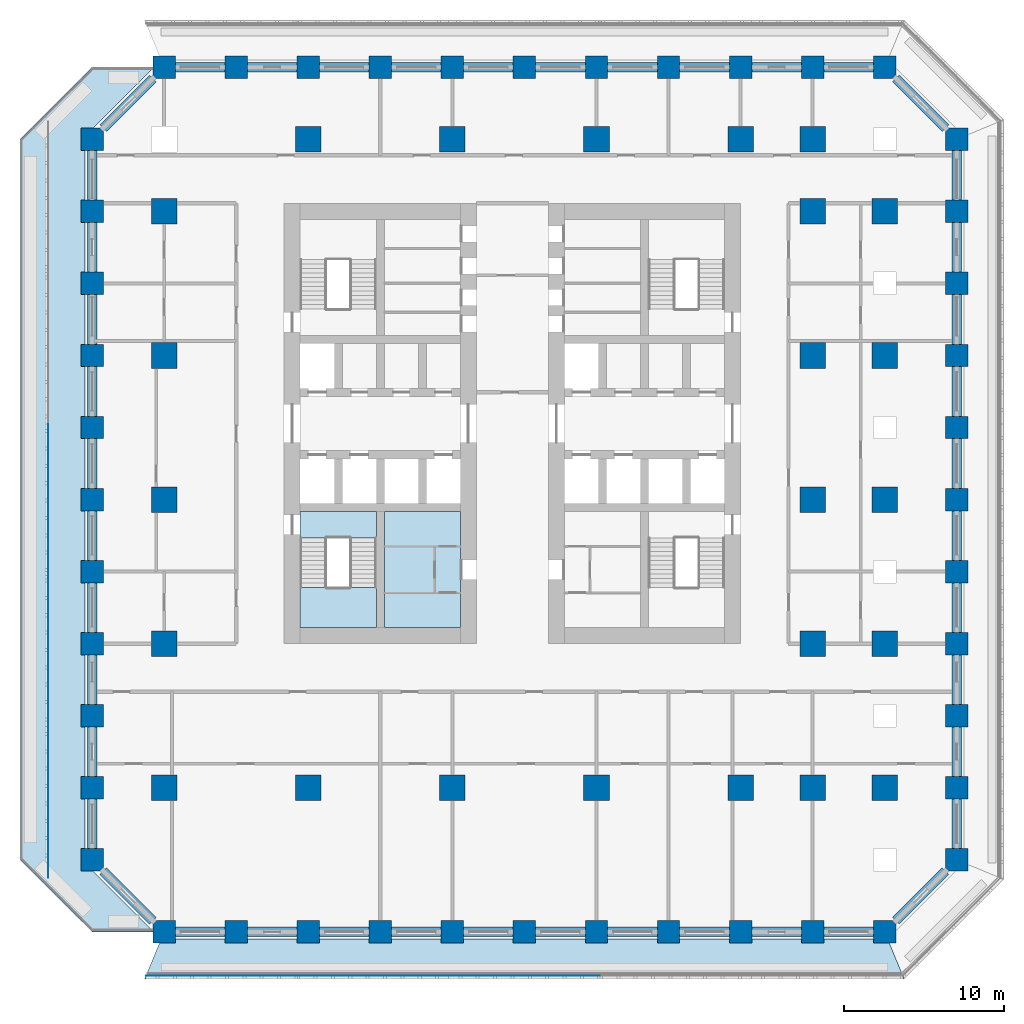
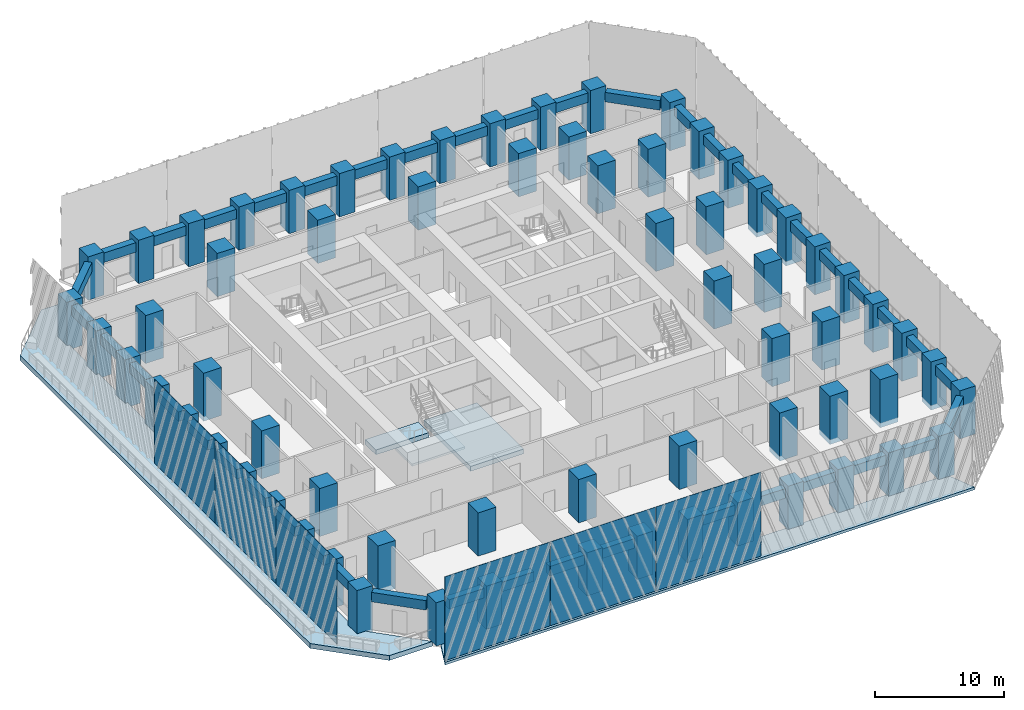
# One storey, part 1 of 15: 68 columns, 44 beams, 6 plates, 5 slabs, 1 element without a shape of its own.
"""IFC4 building model written with IfcOpenShell, lengths in metres."""

from ifc_helpers import new_model, si_unit, direction, frame, origin, origin_2d, place, context, subcontext, project, spatial, polyline, rectangle, outline, extrude, material, layer, layer_set, material_profile, profile_set, type_object, element, aggregate, save


model = new_model("IFC4")

# Units and contexts
model_context = context("Model", 3, precision=1e-05, world=origin(), true_north=direction((0.0, 1.0)))
body_context = subcontext(model_context, "Body", "Model", "MODEL_VIEW")
ifc_project = project(units=[si_unit("LENGTHUNIT", "METRE"), si_unit("AREAUNIT", "SQUARE_METRE"), si_unit("VOLUMEUNIT", "CUBIC_METRE"), si_unit("PLANEANGLEUNIT", "RADIAN"), si_unit("MASSUNIT", "GRAM", prefix="KILO")], contexts=[model_context])

# Site, building, storey
site_placement = place(None, origin())
site = spatial("IfcSite", under=ifc_project, at=site_placement, CompositionType="ELEMENT")
building_placement = place(site_placement, origin())
building = spatial("IfcBuilding", under=site, at=building_placement, Name="Corbel Stack Research Tower", CompositionType="ELEMENT")
storey_placement = place(building_placement, frame((0.0, 0.0, 41.89990234375)))
storey = spatial("IfcBuildingStorey", under=building, at=storey_placement, Name="L09", CompositionType="ELEMENT", Elevation=41.89990234375)

# Columns
ifc_material_1 = material(Name="Concrete C70/85", Category="concrete")
ifc_material_profile_1 = material_profile(ifc_material_1, rectangle(XDim=1.39990234375, YDim=1.39990234375, at=origin_2d()), Name="RC 1400 x 1400")
ifc_profile_set_1 = profile_set([ifc_material_profile_1], Name="Concrete C70/85")
column_type_1 = type_object("IfcColumnType", Name="C-1400-70", PredefinedType="COLUMN", material=ifc_profile_set_1)
for number, where, z_axis, x_axis, name in (
    (1, (-22.5, -22.5, -0.449951171875), (0.0, 0.0, 1.0), (1.0, 0.0, 0.0), "Column 3/C L09"),
    (2, (-22.5, -18.0, -0.449951171875), (0.0, 0.0, 1.0), (1.0, 0.0, 0.0), "Column 3/D L09"),
    (3, (-22.5, -13.5, -0.449951171875), (0.0, 0.0, 1.0), (1.0, 0.0, 0.0), "Column 3/E L09"),
    (4, (-22.5, -9.0, -0.449951171875), (0.0, 0.0, 1.0), (1.0, 0.0, 0.0), "Column 3/F L09"),
    (5, (-22.5, -4.5, -0.449951171875), (0.0, 0.0, 1.0), (1.0, 0.0, 0.0), "Column 3/G L09"),
    (6, (-22.5, 0.0, -0.449951171875), (0.0, 0.0, 1.0), (1.0, 0.0, 0.0), "Column 3/H L09"),
    (7, (-22.5, 4.5, -0.449951171875), (0.0, 0.0, 1.0), (1.0, 0.0, 0.0), "Column 3/J L09"),
    (8, (-22.5, 9.0, -0.449951171875), (0.0, 0.0, 1.0), (1.0, 0.0, 0.0), "Column 3/K L09"),
    (9, (-22.5, 13.5, -0.449951171875), (0.0, 0.0, 1.0), (1.0, 0.0, 0.0), "Column 3/L L09"),
    (10, (-22.5, 18.0, -0.449951171875), (0.0, 0.0, 1.0), (1.0, 0.0, 0.0), "Column 3/M L09"),
    (11, (-22.5, 22.5, -0.449951171875), (0.0, 0.0, 1.0), (1.0, 0.0, 0.0), "Column 3/N L09"),
):
    element("IfcColumn", number, at=place(storey_placement, frame(where, z_axis=z_axis, x_axis=x_axis)), inside=storey, type_object=column_type_1, Name=name, PredefinedType="COLUMN", context=body_context, shape_type="SweptSolid", body=[
        extrude(rectangle(XDim=1.39990234375, YDim=1.39990234375, at=origin_2d()), origin(), (0.0, 0.0, 1.0), 4.550048828125),
    ])
for number, where, z_axis, x_axis, name in (
    (12, (-18.0, -27.0, 0.0), (0.0, 0.0, 1.0), (1.0, 0.0, 0.0), "Column 4/B L09"),
    (13, (-18.0, 27.0, 0.0), (0.0, 0.0, 1.0), (1.0, 0.0, 0.0), "Column 4/P L09"),
    (14, (-13.5, -27.0, 0.0), (0.0, 0.0, 1.0), (1.0, 0.0, 0.0), "Column 5/B L09"),
    (15, (-13.5, 27.0, 0.0), (0.0, 0.0, 1.0), (1.0, 0.0, 0.0), "Column 5/P L09"),
    (16, (-9.0, -27.0, 0.0), (0.0, 0.0, 1.0), (1.0, 0.0, 0.0), "Column 6/B L09"),
    (17, (-9.0, 27.0, 0.0), (0.0, 0.0, 1.0), (1.0, 0.0, 0.0), "Column 6/P L09"),
    (18, (-4.5, -27.0, 0.0), (0.0, 0.0, 1.0), (1.0, 0.0, 0.0), "Column 7/B L09"),
    (19, (-4.5, 27.0, 0.0), (0.0, 0.0, 1.0), (1.0, 0.0, 0.0), "Column 7/P L09"),
    (20, (0.0, -27.0, 0.0), (0.0, 0.0, 1.0), (1.0, 0.0, 0.0), "Column 8/B L09"),
    (21, (0.0, 27.0, 0.0), (0.0, 0.0, 1.0), (1.0, 0.0, 0.0), "Column 8/P L09"),
    (22, (4.5, -27.0, 0.0), (0.0, 0.0, 1.0), (1.0, 0.0, 0.0), "Column 9/B L09"),
    (23, (4.5, 27.0, 0.0), (0.0, 0.0, 1.0), (1.0, 0.0, 0.0), "Column 9/P L09"),
    (24, (9.0, -27.0, 0.0), (0.0, 0.0, 1.0), (1.0, 0.0, 0.0), "Column 10/B L09"),
    (25, (9.0, 27.0, 0.0), (0.0, 0.0, 1.0), (1.0, 0.0, 0.0), "Column 10/P L09"),
    (26, (13.5, -27.0, 0.0), (0.0, 0.0, 1.0), (1.0, 0.0, 0.0), "Column 11/B L09"),
    (27, (13.5, 27.0, 0.0), (0.0, 0.0, 1.0), (1.0, 0.0, 0.0), "Column 11/P L09"),
    (28, (18.0, -27.0, 0.0), (0.0, 0.0, 1.0), (1.0, 0.0, 0.0), "Column 12/B L09"),
    (29, (18.0, 27.0, 0.0), (0.0, 0.0, 1.0), (1.0, 0.0, 0.0), "Column 12/P L09"),
    (30, (22.5, -27.0, 0.0), (0.0, 0.0, 1.0), (1.0, 0.0, 0.0), "Column 13/B L09"),
    (31, (22.5, 27.0, 0.0), (0.0, 0.0, 1.0), (1.0, 0.0, 0.0), "Column 13/P L09"),
    (32, (27.0, -27.0, 0.0), (0.0, 0.0, 1.0), (1.0, 0.0, 0.0), "Column 14/B L09"),
    (33, (27.0, 27.0, 0.0), (0.0, 0.0, 1.0), (1.0, 0.0, 0.0), "Column 14/P L09"),
):
    element("IfcColumn", number, at=place(storey_placement, frame(where, z_axis=z_axis, x_axis=x_axis)), inside=storey, type_object=column_type_1, Name=name, PredefinedType="COLUMN", context=body_context, shape_type="SweptSolid", body=[
        extrude(rectangle(XDim=1.39990234375, YDim=1.39990234375, at=origin_2d()), origin(), (0.0, 0.0, 1.0), 4.10009765625),
    ])
for number, where, z_axis, x_axis, name in (
    (34, (31.5, -22.5, -0.449951171875), (0.0, 0.0, 1.0), (1.0, 0.0, 0.0), "Column 15/C L09"),
    (35, (31.5, -18.0, -0.449951171875), (0.0, 0.0, 1.0), (1.0, 0.0, 0.0), "Column 15/D L09"),
    (36, (31.5, -13.5, -0.449951171875), (0.0, 0.0, 1.0), (1.0, 0.0, 0.0), "Column 15/E L09"),
    (37, (31.5, -9.0, -0.449951171875), (0.0, 0.0, 1.0), (1.0, 0.0, 0.0), "Column 15/F L09"),
    (38, (31.5, -4.5, -0.449951171875), (0.0, 0.0, 1.0), (1.0, 0.0, 0.0), "Column 15/G L09"),
    (39, (31.5, 0.0, -0.449951171875), (0.0, 0.0, 1.0), (1.0, 0.0, 0.0), "Column 15/H L09"),
    (40, (31.5, 4.5, -0.449951171875), (0.0, 0.0, 1.0), (1.0, 0.0, 0.0), "Column 15/J L09"),
    (41, (31.5, 9.0, -0.449951171875), (0.0, 0.0, 1.0), (1.0, 0.0, 0.0), "Column 15/K L09"),
    (42, (31.5, 13.5, -0.449951171875), (0.0, 0.0, 1.0), (1.0, 0.0, 0.0), "Column 15/L L09"),
    (43, (31.5, 18.0, -0.449951171875), (0.0, 0.0, 1.0), (1.0, 0.0, 0.0), "Column 15/M L09"),
    (44, (31.5, 22.5, -0.449951171875), (0.0, 0.0, 1.0), (1.0, 0.0, 0.0), "Column 15/N L09"),
):
    element("IfcColumn", number, at=place(storey_placement, frame(where, z_axis=z_axis, x_axis=x_axis)), inside=storey, type_object=column_type_1, Name=name, PredefinedType="COLUMN", context=body_context, shape_type="SweptSolid", body=[
        extrude(rectangle(XDim=1.39990234375, YDim=1.39990234375, at=origin_2d()), origin(), (0.0, 0.0, 1.0), 4.550048828125),
    ])
ifc_material_2 = material(Name="Concrete C70/85", Category="concrete")
ifc_material_profile_2 = material_profile(ifc_material_2, rectangle(XDim=1.60009765625, YDim=1.60009765625, at=origin_2d()), Name="RC 1600 x 1600")
ifc_profile_set_2 = profile_set([ifc_material_profile_2], Name="Concrete C70/85")
column_type_2 = type_object("IfcColumnType", Name="C-1600-70", PredefinedType="COLUMN", material=ifc_profile_set_2)
for number, where, z_axis, x_axis, name in (
    (45, (-18.0, -18.0, -0.449951171875), (0.0, 0.0, 1.0), (1.0, 0.0, 0.0), "Column 4/D L09"),
    (46, (-18.0, -9.0, -0.449951171875), (0.0, 0.0, 1.0), (1.0, 0.0, 0.0), "Column 4/F L09"),
    (47, (-18.0, 0.0, -0.449951171875), (0.0, 0.0, 1.0), (1.0, 0.0, 0.0), "Column 4/H L09"),
    (48, (-18.0, 9.0, -0.449951171875), (0.0, 0.0, 1.0), (1.0, 0.0, 0.0), "Column 4/K L09"),
    (49, (-18.0, 18.0, -0.449951171875), (0.0, 0.0, 1.0), (1.0, 0.0, 0.0), "Column 4/M L09"),
):
    element("IfcColumn", number, at=place(storey_placement, frame(where, z_axis=z_axis, x_axis=x_axis)), inside=storey, type_object=column_type_2, Name=name, PredefinedType="COLUMN", context=body_context, shape_type="SweptSolid", body=[
        extrude(rectangle(XDim=1.60009765625, YDim=1.60009765625, at=origin_2d()), origin(), (0.0, 0.0, 1.0), 4.550048828125),
    ])
for number, where, z_axis, x_axis, name in (
    (50, (-9.0, -18.0, 0.0), (0.0, 0.0, 1.0), (1.0, 0.0, 0.0), "Column 6/D L09"),
    (51, (-9.0, 22.5, 0.0), (0.0, 0.0, 1.0), (1.0, 0.0, 0.0), "Column 6/N L09"),
    (52, (0.0, -18.0, 0.0), (0.0, 0.0, 1.0), (1.0, 0.0, 0.0), "Column 8/D L09"),
    (53, (0.0, 22.5, 0.0), (0.0, 0.0, 1.0), (1.0, 0.0, 0.0), "Column 8/N L09"),
    (54, (9.0, -18.0, 0.0), (0.0, 0.0, 1.0), (1.0, 0.0, 0.0), "Column 10/D L09"),
    (55, (9.0, 22.5, 0.0), (0.0, 0.0, 1.0), (1.0, 0.0, 0.0), "Column 10/N L09"),
):
    element("IfcColumn", number, at=place(storey_placement, frame(where, z_axis=z_axis, x_axis=x_axis)), inside=storey, type_object=column_type_2, Name=name, PredefinedType="COLUMN", context=body_context, shape_type="SweptSolid", body=[
        extrude(rectangle(XDim=1.60009765625, YDim=1.60009765625, at=origin_2d()), origin(), (0.0, 0.0, 1.0), 4.10009765625),
    ])
column_1_placement = place(storey_placement, frame((18.0, -18.0, -0.449951171875), z_axis=(0.0, 0.0, 1.0), x_axis=(1.0, 0.0, 0.0)))
element("IfcColumn", 56, at=column_1_placement, inside=storey, type_object=column_type_2, Name="Column 12/D L09", PredefinedType="COLUMN", context=body_context, shape_type="SweptSolid", body=[
    extrude(rectangle(XDim=1.60009765625, YDim=1.60009765625, at=origin_2d()), origin(), (0.0, 0.0, 1.0), 4.550048828125),
])
column_2_placement = place(storey_placement, frame((18.0, 22.5, 0.0), z_axis=(0.0, 0.0, 1.0), x_axis=(1.0, 0.0, 0.0)))
element("IfcColumn", 57, at=column_2_placement, inside=storey, type_object=column_type_2, Name="Column 12/N L09", PredefinedType="COLUMN", context=body_context, shape_type="SweptSolid", body=[
    extrude(rectangle(XDim=1.60009765625, YDim=1.60009765625, at=origin_2d()), origin(), (0.0, 0.0, 1.0), 4.10009765625),
])
for number, where, z_axis, x_axis, name in (
    (58, (22.5, -18.0, -0.449951171875), (0.0, 0.0, 1.0), (1.0, 0.0, 0.0), "Column 13/D L09"),
    (59, (22.5, -9.0, -0.449951171875), (0.0, 0.0, 1.0), (1.0, 0.0, 0.0), "Column 13/F L09"),
    (60, (22.5, 0.0, -0.449951171875), (0.0, 0.0, 1.0), (1.0, 0.0, 0.0), "Column 13/H L09"),
    (61, (22.5, 9.0, -0.449951171875), (0.0, 0.0, 1.0), (1.0, 0.0, 0.0), "Column 13/K L09"),
    (62, (22.5, 18.0, -0.449951171875), (0.0, 0.0, 1.0), (1.0, 0.0, 0.0), "Column 13/M L09"),
):
    element("IfcColumn", number, at=place(storey_placement, frame(where, z_axis=z_axis, x_axis=x_axis)), inside=storey, type_object=column_type_2, Name=name, PredefinedType="COLUMN", context=body_context, shape_type="SweptSolid", body=[
        extrude(rectangle(XDim=1.60009765625, YDim=1.60009765625, at=origin_2d()), origin(), (0.0, 0.0, 1.0), 4.550048828125),
    ])
column_3_placement = place(storey_placement, frame((22.5, 22.5, 0.0), z_axis=(0.0, 0.0, 1.0), x_axis=(1.0, 0.0, 0.0)))
element("IfcColumn", 63, at=column_3_placement, inside=storey, type_object=column_type_2, Name="Column 13/N L09", PredefinedType="COLUMN", context=body_context, shape_type="SweptSolid", body=[
    extrude(rectangle(XDim=1.60009765625, YDim=1.60009765625, at=origin_2d()), origin(), (0.0, 0.0, 1.0), 4.10009765625),
])
for number, where, z_axis, x_axis, name in (
    (64, (27.0, -18.0, -0.449951171875), (0.0, 0.0, 1.0), (1.0, 0.0, 0.0), "Column 14/D L09"),
    (65, (27.0, -9.0, -0.449951171875), (0.0, 0.0, 1.0), (1.0, 0.0, 0.0), "Column 14/F L09"),
    (66, (27.0, 0.0, -0.449951171875), (0.0, 0.0, 1.0), (1.0, 0.0, 0.0), "Column 14/H L09"),
    (67, (27.0, 9.0, -0.449951171875), (0.0, 0.0, 1.0), (1.0, 0.0, 0.0), "Column 14/K L09"),
    (68, (27.0, 18.0, -0.449951171875), (0.0, 0.0, 1.0), (1.0, 0.0, 0.0), "Column 14/M L09"),
):
    element("IfcColumn", number, at=place(storey_placement, frame(where, z_axis=z_axis, x_axis=x_axis)), inside=storey, type_object=column_type_2, Name=name, PredefinedType="COLUMN", context=body_context, shape_type="SweptSolid", body=[
        extrude(rectangle(XDim=1.60009765625, YDim=1.60009765625, at=origin_2d()), origin(), (0.0, 0.0, 1.0), 4.550048828125),
    ])

# Beams
ifc_material_3 = material(Name="Concrete C60/75", Category="concrete")
ifc_material_profile_3 = material_profile(ifc_material_3, rectangle(XDim=0.60009765625, YDim=0.89990234375, at=origin_2d()), Name="RC 600 x 900")
ifc_profile_set_3 = profile_set([ifc_material_profile_3], Name="Concrete C60/75")
beam_type = type_object("IfcBeamType", Name="SB-600-900-450", PredefinedType="SPANDREL", material=ifc_profile_set_3)
for number, where, z_axis, x_axis, name in (
    (69, (-17.300048828125, -27.0, 3.2001953125), (1.0, 0.0, 0.0), (0.0, 1.0, 0.0), "Spandrel beam L09-01"),
    (70, (-12.800048828125, -27.0, 3.2001953125), (1.0, 0.0, 0.0), (0.0, 1.0, 0.0), "Spandrel beam L09-02"),
    (71, (-8.300048828125, -27.0, 3.2001953125), (1.0, 0.0, 0.0), (0.0, 1.0, 0.0), "Spandrel beam L09-03"),
    (72, (-3.800048828125, -27.0, 3.2001953125), (1.0, 0.0, 0.0), (0.0, 1.0, 0.0), "Spandrel beam L09-04"),
    (73, (0.699951171875, -27.0, 3.2001953125), (1.0, 0.0, 0.0), (0.0, 1.0, 0.0), "Spandrel beam L09-05"),
    (74, (5.199951171875, -27.0, 3.2001953125), (1.0, 0.0, 0.0), (0.0, 1.0, 0.0), "Spandrel beam L09-06"),
    (75, (9.699951171875, -27.0, 3.2001953125), (1.0, 0.0, 0.0), (0.0, 1.0, 0.0), "Spandrel beam L09-07"),
    (76, (14.199951171875, -27.0, 3.2001953125), (1.0, 0.0, 0.0), (0.0, 1.0, 0.0), "Spandrel beam L09-08"),
    (77, (18.699951171875, -27.0, 3.2001953125), (1.0, 0.0, 0.0), (0.0, 1.0, 0.0), "Spandrel beam L09-09"),
    (78, (23.199951171875, -27.0, 3.2001953125), (1.0, 0.0, 0.0), (0.0, 1.0, 0.0), "Spandrel beam L09-10"),
):
    element("IfcBeam", number, at=place(storey_placement, frame(where, z_axis=z_axis, x_axis=x_axis)), inside=storey, type_object=beam_type, Name=name, PredefinedType="SPANDREL", context=body_context, shape_type="SweptSolid", body=[
        extrude(rectangle(XDim=0.60009765625, YDim=0.89990234375, at=origin_2d()), origin(), (0.0, 0.0, 1.0), 3.10009765625),
    ])
beam_1_placement = place(storey_placement, frame((27.699951171875, -26.300048828125, 3.2001953125), z_axis=(0.707106781187, 0.707106781187, 0.0), x_axis=(-0.707106781187, 0.707106781187, 0.0)))
element("IfcBeam", 79, at=beam_1_placement, inside=storey, type_object=beam_type, Name="Spandrel beam L09-11", PredefinedType="SPANDREL", context=body_context, shape_type="SweptSolid", body=[
    extrude(rectangle(XDim=0.60009765625, YDim=0.89990234375, at=origin_2d()), origin(), (0.0, 0.0, 1.0), 4.38427734375),
])
for number, where, z_axis, x_axis, name in (
    (80, (31.5, -21.800048828125, 3.2001953125), (0.0, 1.0, 0.0), (-1.0, 0.0, 0.0), "Spandrel beam L09-12"),
    (81, (31.5, -17.300048828125, 3.2001953125), (0.0, 1.0, 0.0), (-1.0, 0.0, 0.0), "Spandrel beam L09-13"),
    (82, (31.5, -12.800048828125, 3.2001953125), (0.0, 1.0, 0.0), (-1.0, 0.0, 0.0), "Spandrel beam L09-14"),
    (83, (31.5, -8.300048828125, 3.2001953125), (0.0, 1.0, 0.0), (-1.0, 0.0, 0.0), "Spandrel beam L09-15"),
    (84, (31.5, -3.800048828125, 3.2001953125), (0.0, 1.0, 0.0), (-1.0, 0.0, 0.0), "Spandrel beam L09-16"),
    (85, (31.5, 0.699951171875, 3.2001953125), (0.0, 1.0, 0.0), (-1.0, 0.0, 0.0), "Spandrel beam L09-17"),
    (86, (31.5, 5.199951171875, 3.2001953125), (0.0, 1.0, 0.0), (-1.0, 0.0, 0.0), "Spandrel beam L09-18"),
    (87, (31.5, 9.699951171875, 3.2001953125), (0.0, 1.0, 0.0), (-1.0, 0.0, 0.0), "Spandrel beam L09-19"),
    (88, (31.5, 14.199951171875, 3.2001953125), (0.0, 1.0, 0.0), (-1.0, 0.0, 0.0), "Spandrel beam L09-20"),
    (89, (31.5, 18.699951171875, 3.2001953125), (0.0, 1.0, 0.0), (-1.0, 0.0, 0.0), "Spandrel beam L09-21"),
):
    element("IfcBeam", number, at=place(storey_placement, frame(where, z_axis=z_axis, x_axis=x_axis)), inside=storey, type_object=beam_type, Name=name, PredefinedType="SPANDREL", context=body_context, shape_type="SweptSolid", body=[
        extrude(rectangle(XDim=0.60009765625, YDim=0.89990234375, at=origin_2d()), origin(), (0.0, 0.0, 1.0), 3.10009765625),
    ])
beam_2_placement = place(storey_placement, frame((30.800048828125, 23.199951171875, 3.2001953125), z_axis=(-0.707106781187, 0.707106781187, 0.0), x_axis=(-0.707106781187, -0.707106781187, 0.0)))
element("IfcBeam", 90, at=beam_2_placement, inside=storey, type_object=beam_type, Name="Spandrel beam L09-22", PredefinedType="SPANDREL", context=body_context, shape_type="SweptSolid", body=[
    extrude(rectangle(XDim=0.60009765625, YDim=0.89990234375, at=origin_2d()), origin(), (0.0, 0.0, 1.0), 4.38427734375),
])
for number, where, z_axis, x_axis, name in (
    (91, (26.300048828125, 27.0, 3.2001953125), (-1.0, 0.0, 0.0), (0.0, -1.0, 0.0), "Spandrel beam L09-23"),
    (92, (21.800048828125, 27.0, 3.2001953125), (-1.0, 0.0, 0.0), (0.0, -1.0, 0.0), "Spandrel beam L09-24"),
    (93, (17.300048828125, 27.0, 3.2001953125), (-1.0, 0.0, 0.0), (0.0, -1.0, 0.0), "Spandrel beam L09-25"),
    (94, (12.800048828125, 27.0, 3.2001953125), (-1.0, 0.0, 0.0), (0.0, -1.0, 0.0), "Spandrel beam L09-26"),
    (95, (8.300048828125, 27.0, 3.2001953125), (-1.0, 0.0, 0.0), (0.0, -1.0, 0.0), "Spandrel beam L09-27"),
    (96, (3.800048828125, 27.0, 3.2001953125), (-1.0, 0.0, 0.0), (0.0, -1.0, 0.0), "Spandrel beam L09-28"),
    (97, (-0.699951171875, 27.0, 3.2001953125), (-1.0, 0.0, 0.0), (0.0, -1.0, 0.0), "Spandrel beam L09-29"),
    (98, (-5.199951171875, 27.0, 3.2001953125), (-1.0, 0.0, 0.0), (0.0, -1.0, 0.0), "Spandrel beam L09-30"),
    (99, (-9.699951171875, 27.0, 3.2001953125), (-1.0, 0.0, 0.0), (0.0, -1.0, 0.0), "Spandrel beam L09-31"),
    (100, (-14.199951171875, 27.0, 3.2001953125), (-1.0, 0.0, 0.0), (0.0, -1.0, 0.0), "Spandrel beam L09-32"),
):
    element("IfcBeam", number, at=place(storey_placement, frame(where, z_axis=z_axis, x_axis=x_axis)), inside=storey, type_object=beam_type, Name=name, PredefinedType="SPANDREL", context=body_context, shape_type="SweptSolid", body=[
        extrude(rectangle(XDim=0.60009765625, YDim=0.89990234375, at=origin_2d()), origin(), (0.0, 0.0, 1.0), 3.10009765625),
    ])
beam_3_placement = place(storey_placement, frame((-18.699951171875, 26.300048828125, 3.2001953125), z_axis=(-0.707106781187, -0.707106781187, 0.0), x_axis=(0.707106781187, -0.707106781187, 0.0)))
element("IfcBeam", 101, at=beam_3_placement, inside=storey, type_object=beam_type, Name="Spandrel beam L09-33", PredefinedType="SPANDREL", context=body_context, shape_type="SweptSolid", body=[
    extrude(rectangle(XDim=0.60009765625, YDim=0.89990234375, at=origin_2d()), origin(), (0.0, 0.0, 1.0), 4.38427734375),
])
for number, where, z_axis, x_axis, name in (
    (102, (-22.5, 21.800048828125, 3.2001953125), (0.0, -1.0, 0.0), (1.0, 0.0, 0.0), "Spandrel beam L09-34"),
    (103, (-22.5, 17.300048828125, 3.2001953125), (0.0, -1.0, 0.0), (1.0, 0.0, 0.0), "Spandrel beam L09-35"),
    (104, (-22.5, 12.800048828125, 3.2001953125), (0.0, -1.0, 0.0), (1.0, 0.0, 0.0), "Spandrel beam L09-36"),
    (105, (-22.5, 8.300048828125, 3.2001953125), (0.0, -1.0, 0.0), (1.0, 0.0, 0.0), "Spandrel beam L09-37"),
    (106, (-22.5, 3.800048828125, 3.2001953125), (0.0, -1.0, 0.0), (1.0, 0.0, 0.0), "Spandrel beam L09-38"),
    (107, (-22.5, -0.699951171875, 3.2001953125), (0.0, -1.0, 0.0), (1.0, 0.0, 0.0), "Spandrel beam L09-39"),
    (108, (-22.5, -5.199951171875, 3.2001953125), (0.0, -1.0, 0.0), (1.0, 0.0, 0.0), "Spandrel beam L09-40"),
    (109, (-22.5, -9.699951171875, 3.2001953125), (0.0, -1.0, 0.0), (1.0, 0.0, 0.0), "Spandrel beam L09-41"),
    (110, (-22.5, -14.199951171875, 3.2001953125), (0.0, -1.0, 0.0), (1.0, 0.0, 0.0), "Spandrel beam L09-42"),
    (111, (-22.5, -18.699951171875, 3.2001953125), (0.0, -1.0, 0.0), (1.0, 0.0, 0.0), "Spandrel beam L09-43"),
):
    element("IfcBeam", number, at=place(storey_placement, frame(where, z_axis=z_axis, x_axis=x_axis)), inside=storey, type_object=beam_type, Name=name, PredefinedType="SPANDREL", context=body_context, shape_type="SweptSolid", body=[
        extrude(rectangle(XDim=0.60009765625, YDim=0.89990234375, at=origin_2d()), origin(), (0.0, 0.0, 1.0), 3.10009765625),
    ])
beam_4_placement = place(storey_placement, frame((-21.800048828125, -23.199951171875, 3.2001953125), z_axis=(0.707106781187, -0.707106781187, 0.0), x_axis=(0.707106781187, 0.707106781187, 0.0)))
element("IfcBeam", 112, at=beam_4_placement, inside=storey, type_object=beam_type, Name="Spandrel beam L09-44", PredefinedType="SPANDREL", context=body_context, shape_type="SweptSolid", body=[
    extrude(rectangle(XDim=0.60009765625, YDim=0.89990234375, at=origin_2d()), origin(), (0.0, 0.0, 1.0), 4.38427734375),
])

# Plates
ifc_material_4 = material(Name="Fritted glass", Category="glass")
ifc_layer_1 = layer(ifc_material_4, 0.02490234375)
ifc_layer_set_1 = layer_set([ifc_layer_1], Name="Fritted glass")
plate_type = type_object("IfcPlateType", Name="Fritted glass panel 25", PredefinedType="SHEET", material=ifc_layer_set_1)
for number, where, z_axis, x_axis, name in (
    (113, (-14.411376953125, -29.737548828125, 0.0), (0.0, 0.0, 1.0), (1.0, 0.0, 0.0), "Fritted glass L09 S1"),
    (114, (-4.95556640625, -29.737548828125, 0.0), (0.0, 0.0, 1.0), (1.0, 0.0, 0.0), "Fritted glass L09 S2"),
    (115, (4.5, -29.737548828125, 0.0), (0.0, 0.0, 1.0), (1.0, 0.0, 0.0), "Fritted glass L09 S3"),
    (116, (-25.237548828125, 0.0, 0.0), (0.0, 0.0, 1.0), (0.0, -1.0, 0.0), "Fritted glass L09 W3"),
    (117, (-25.237548828125, -9.45556640625, 0.0), (0.0, 0.0, 1.0), (0.0, -1.0, 0.0), "Fritted glass L09 W4"),
    (118, (-25.237548828125, -18.911376953125, 0.0), (0.0, 0.0, 1.0), (0.0, -1.0, 0.0), "Fritted glass L09 W5"),
):
    element("IfcPlate", number, at=place(storey_placement, frame(where, z_axis=z_axis, x_axis=x_axis)), inside=storey, type_object=plate_type, Name=name, PredefinedType="SHEET", context=body_context, shape_type="SweptSolid", body=[
        extrude(rectangle(XDim=9.3955078125, YDim=0.02490234375, at=origin_2d()), origin(), (0.0, 0.0, 1.0), 7.949951171875),
    ])

# Slabs
ifc_material_5 = material(Name="Concrete C45/55", Category="concrete")
ifc_layer_2 = layer(ifc_material_5, 0.25)
ifc_layer_set_2 = layer_set([ifc_layer_2], Name="Concrete C45/55")
slab_type_1 = type_object("IfcSlabType", Name="PT balcony slab 250 C45/55", PredefinedType="FLOOR", material=ifc_layer_set_2)
slab_1_placement = place(storey_placement, frame((0.0, 0.0, -0.25)))
element("IfcSlab", 119, at=slab_1_placement, inside=storey, type_object=slab_type_1, Name="Loggia slab L09 S", PredefinedType="FLOOR", context=body_context, shape_type="SweptSolid", body=[
    extrude(outline(polyline([(27.289794921875, -27.699951171875), (26.300048828125, -27.699951171875), (26.300048828125, -27.449951171875), (23.199951171875, -27.449951171875), (23.199951171875, -27.699951171875), (21.800048828125, -27.699951171875), (21.800048828125, -27.449951171875), (18.699951171875, -27.449951171875), (18.699951171875, -27.699951171875), (17.300048828125, -27.699951171875), (17.300048828125, -27.449951171875), (14.199951171875, -27.449951171875), (14.199951171875, -27.699951171875), (12.800048828125, -27.699951171875), (12.800048828125, -27.449951171875), (9.699951171875, -27.449951171875), (9.699951171875, -27.699951171875), (8.300048828125, -27.699951171875), (8.300048828125, -27.449951171875), (5.199951171875, -27.449951171875), (5.199951171875, -27.699951171875), (3.800048828125, -27.699951171875), (3.800048828125, -27.449951171875), (0.699951171875, -27.449951171875), (0.699951171875, -27.699951171875), (-0.699951171875, -27.699951171875), (-0.699951171875, -27.449951171875), (-3.800048828125, -27.449951171875), (-3.800048828125, -27.699951171875), (-5.199951171875, -27.699951171875), (-5.199951171875, -27.449951171875), (-8.300048828125, -27.449951171875), (-8.300048828125, -27.699951171875), (-9.699951171875, -27.699951171875), (-9.699951171875, -27.449951171875), (-12.800048828125, -27.449951171875), (-12.800048828125, -27.699951171875), (-14.199951171875, -27.699951171875), (-14.199951171875, -27.449951171875), (-17.300048828125, -27.449951171875), (-17.300048828125, -27.699951171875), (-18.289794921875, -27.699951171875), (-19.221923828125, -29.949951171875), (28.221923828125, -29.949951171875), (27.289794921875, -27.699951171875)])), origin(), (0.0, 0.0, 1.0), 0.25),
])
ifc_material_6 = material(Name="Concrete C45/55", Category="concrete")
ifc_layer_3 = layer(ifc_material_6, 0.449951171875)
ifc_layer_set_3 = layer_set([ifc_layer_3], Name="Concrete C45/55")
slab_type_2 = type_object("IfcSlabType", Name="PT-450", PredefinedType="FLOOR", material=ifc_layer_set_3)
slab_2_placement = place(storey_placement, frame((0.0, 0.0, -0.449951171875)))
element("IfcSlab", 120, at=slab_2_placement, inside=storey, type_object=slab_type_2, Name="West core floor L09", PredefinedType="FLOOR", context=body_context, shape_type="SweptSolid", body=[
    extrude(outline(polyline([(-4.25, -0.75), (-4.25, -8.0), (0.5, -8.0), (0.5, -0.75), (-4.25, -0.75)])), origin(), (0.0, 0.0, 1.0), 0.449951171875),
])
slab_3_placement = place(storey_placement, frame((0.0, 0.0, -0.449951171875)))
element("IfcSlab", 121, at=slab_3_placement, inside=storey, type_object=slab_type_2, Name="Stair floor landing ST-W1", PredefinedType="FLOOR", context=body_context, shape_type="SweptSolid", body=[
    extrude(outline(polyline([(-9.5, -2.39990234375), (-4.75, -2.39990234375), (-4.75, -0.75), (-9.5, -0.75), (-9.5, -2.39990234375)])), origin(), (0.0, 0.0, 1.0), 0.449951171875),
])

# Stair, slab
ifc_material_7 = material(Name="Concrete C40/50", Category="concrete")
stair_type = type_object("IfcStairType", Name="Exit stair 24 risers", PredefinedType="HALF_TURN_STAIR", material=ifc_material_7)
stair_placement = place(storey_placement, origin())
stair = element("IfcStair", 122, at=stair_placement, inside=storey, type_object=stair_type, Name="L09 Exit stair ST-W1", PredefinedType="HALF_TURN_STAIR")
ifc_material_8 = material(Name="Concrete C40/50", Category="concrete")
ifc_layer_4 = layer(ifc_material_8, 0.199951171875)
ifc_layer_set_4 = layer_set([ifc_layer_4], Name="Concrete C40/50")
slab_type_3 = type_object("IfcSlabType", Name="Stair landing 200 C40/50", PredefinedType="LANDING", material=ifc_layer_set_4)
slab_4_placement = place(storey_placement, frame((0.0, 0.0, 1.85009765625)))
slab_4 = element("IfcSlab", 123, at=slab_4_placement, type_object=slab_type_3, Name="ST-W1 landing 1", PredefinedType="LANDING", context=body_context, shape_type="SweptSolid", body=[
    extrude(outline(polyline([(-9.5, -8.0), (-9.5, -5.47998046875), (-4.75, -5.47998046875), (-4.75, -8.0), (-9.5, -8.0)])), origin(), (0.0, 0.0, 1.0), 0.199951171875),
])
aggregate(stair, [slab_4])

# Slab
ifc_material_9 = material(Name="Concrete C45/55", Category="concrete")
ifc_layer_5 = layer(ifc_material_9, 0.449951171875)
ifc_layer_set_5 = layer_set([ifc_layer_5], Name="Concrete C45/55")
slab_type_4 = type_object("IfcSlabType", Name="TS-450", PredefinedType="ROOF", material=ifc_layer_set_5)
slab_5_placement = place(storey_placement, frame((0.0, 0.0, -0.449951171875)))
element("IfcSlab", 124, at=slab_5_placement, inside=storey, type_object=slab_type_4, Name="Terrace slab L09", PredefinedType="ROOF", context=body_context, shape_type="SweptSolid", body=[
    extrude(outline(polyline([(-18.636474609375, -27.0), (-22.949951171875, -22.686279296875), (-22.949951171875, 22.686279296875), (-18.636474609375, 27.0), (-22.5, 27.0), (-27.0, 22.5), (-27.0, -22.5), (-22.5, -27.0), (-18.636474609375, -27.0)])), origin(), (0.0, 0.0, 1.0), 0.449951171875),
])

save(model, "model.ifc")
